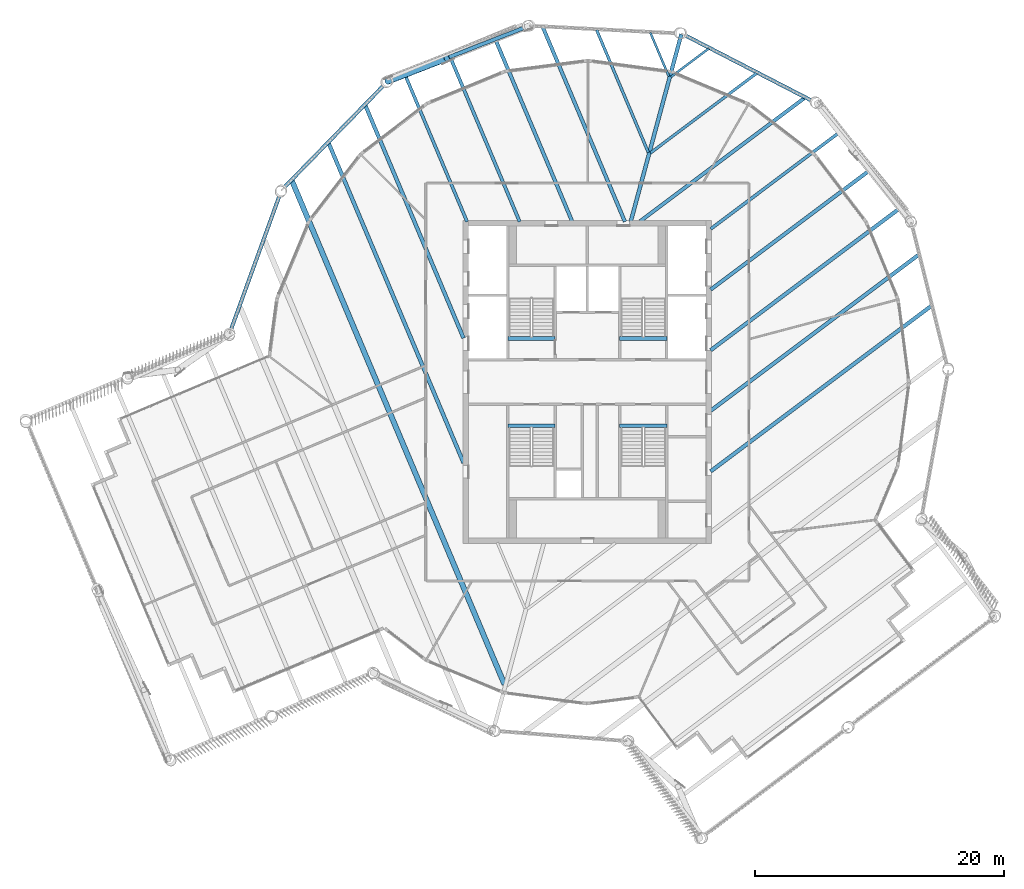
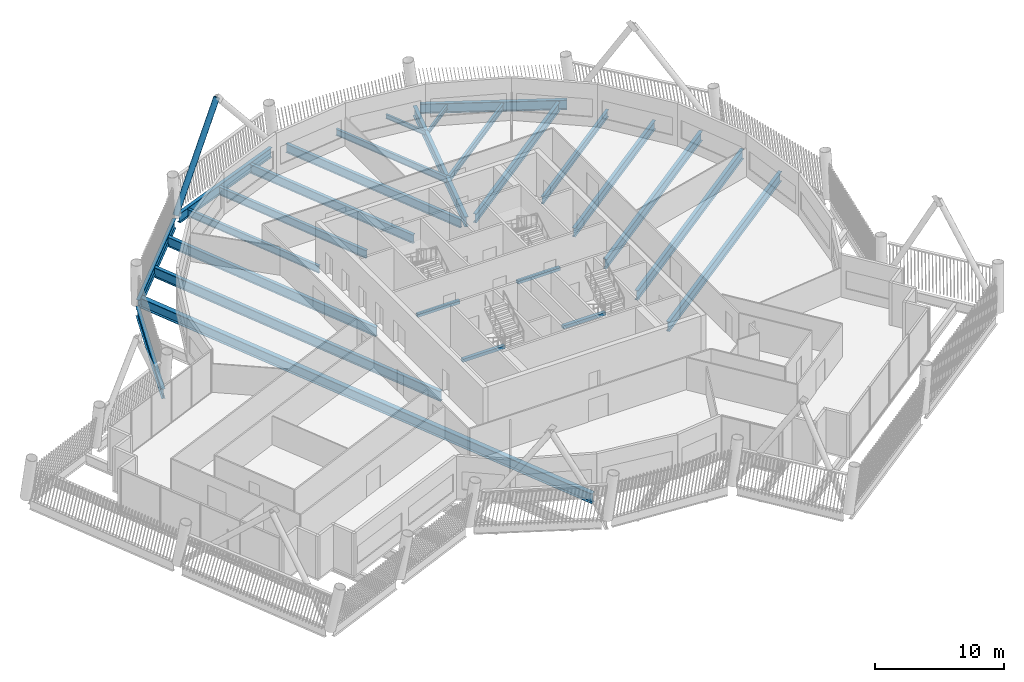
# One storey, part 14 of 35: 26 beams, 1 member.
"""IFC4 building model written with IfcOpenShell, lengths in metres."""

from ifc_helpers import new_model, si_unit, direction, frame, origin, origin_2d, place, context, subcontext, project, spatial, rectangle, hollow_circle, i_section, extrude, material, material_profile, profile_set, type_object, element, save


model = new_model("IFC4")

# Units and contexts
model_context = context("Model", 3, precision=1e-05, world=origin(), true_north=direction((0.0, 1.0)))
body_context = subcontext(model_context, "Body", "Model", "MODEL_VIEW")
ifc_project = project(units=[si_unit("LENGTHUNIT", "METRE"), si_unit("AREAUNIT", "SQUARE_METRE"), si_unit("VOLUMEUNIT", "CUBIC_METRE"), si_unit("PLANEANGLEUNIT", "RADIAN"), si_unit("MASSUNIT", "GRAM", prefix="KILO")], contexts=[model_context])

# Site, building, storey
site_placement = place(None, origin())
site = spatial("IfcSite", under=ifc_project, at=site_placement, CompositionType="ELEMENT")
building_placement = place(site_placement, origin())
building = spatial("IfcBuilding", under=site, at=building_placement, Name="Tarsis Ring Headquarters", CompositionType="ELEMENT")
storey_placement = place(building_placement, frame((0.0, 0.0, 377.60009765625)))
storey = spatial("IfcBuildingStorey", under=building, at=storey_placement, Name="L89", CompositionType="ELEMENT", Elevation=377.60009765625)

# Beams
ifc_material_1 = material(Name="Structural steel S355", Category="steel")
ifc_material_profile_1 = material_profile(ifc_material_1, i_section(OverallWidth=0.177734375, OverallDepth=0.406494140625, WebThickness=0.0078125, FlangeThickness=0.0126953125, at=origin_2d()), Name="W16x40")
ifc_profile_set_1 = profile_set([ifc_material_profile_1], Name="Structural steel S355")
beam_type_1 = type_object("IfcBeamType", Name="FB Floor beam W16x40", PredefinedType="JOIST", material=ifc_profile_set_1)
beam_1_placement = place(storey_placement, frame((6.730712890625, 24.552490234375, -0.36328125), z_axis=(0.799876885727, 0.600164117288, 0.0), x_axis=(-0.600164117288, 0.799876885727, 0.0)))
element("IfcBeam", 1, at=beam_1_placement, inside=storey, type_object=beam_type_1, Name="Floor beam FB1", PredefinedType="JOIST", context=body_context, shape_type="SweptSolid", body=[
    extrude(i_section(OverallWidth=0.177734375, OverallDepth=0.406494140625, WebThickness=0.0078125, FlangeThickness=0.0126953125, at=origin_2d()), origin(), (0.0, 0.0, 1.0), 3.807861328125),
])
beam_2_placement = place(storey_placement, frame((5.06982421875, 28.109619140625, -0.36328125), z_axis=(0.388767684481, -0.9213358169, 0.0), x_axis=(0.9213358169, 0.388767684481, 0.0)))
element("IfcBeam", 2, at=beam_2_placement, inside=storey, type_object=beam_type_1, Name="Floor beam FB1", PredefinedType="JOIST", context=body_context, shape_type="SweptSolid", body=[
    extrude(i_section(OverallWidth=0.177734375, OverallDepth=0.406494140625, WebThickness=0.0078125, FlangeThickness=0.0126953125, at=origin_2d()), origin(), (0.0, 0.0, 1.0), 3.80810546875),
])
ifc_material_profile_2 = material_profile(ifc_material_1, i_section(OverallWidth=0.228271484375, OverallDepth=0.607177734375, WebThickness=0.01123046875, FlangeThickness=0.017333984375, at=origin_2d()), Name="W24x76")
ifc_profile_set_2 = profile_set([ifc_material_profile_2], Name="Structural steel S355")
beam_type_2 = type_object("IfcBeamType", Name="FB Floor beam W24x76", PredefinedType="JOIST", material=ifc_profile_set_2)
for number, where, z_axis, x_axis, name in (
    (3, (5.078369140625, 18.43701171875, -0.463623046875), (0.79989033752, 0.600146188809, 0.0), (-0.600146188809, 0.79989033752, 0.0), "Floor beam FB4"),
    (4, (0.74267578125, 28.33251953125, -0.463623046875), (0.388796251866, -0.921323762059, 0.0), (0.921323762059, 0.388796251866, 0.0), "Floor beam FB4"),
):
    element("IfcBeam", number, at=place(storey_placement, frame(where, z_axis=z_axis, x_axis=x_axis)), inside=storey, type_object=beam_type_2, Name=name, PredefinedType="JOIST", context=body_context, shape_type="SweptSolid", body=[
        extrude(i_section(OverallWidth=0.228271484375, OverallDepth=0.607177734375, WebThickness=0.01123046875, FlangeThickness=0.017333984375, at=origin_2d()), origin(), (0.0, 0.0, 1.0), 10.6875),
    ])
ifc_material_profile_3 = material_profile(ifc_material_1, i_section(OverallWidth=0.2529296875, OverallDepth=0.67822265625, WebThickness=0.01171875, FlangeThickness=0.016357421875, at=origin_2d()), Name="W27x84")
ifc_profile_set_3 = profile_set([ifc_material_profile_3], Name="Structural steel S355")
beam_type_3 = type_object("IfcBeamType", Name="FB Floor beam W27x84", PredefinedType="JOIST", material=ifc_profile_set_3)
beam_3_placement = place(storey_placement, frame((9.919921875, 12.318359375, -0.499267578125), z_axis=(0.799893443235, 0.600142049409, 0.0), x_axis=(-0.600142049409, 0.799893443235, 0.0)))
element("IfcBeam", 5, at=beam_3_placement, inside=storey, type_object=beam_type_3, Name="Floor beam FB5", PredefinedType="JOIST", context=body_context, shape_type="SweptSolid", body=[
    extrude(i_section(OverallWidth=0.2529296875, OverallDepth=0.67822265625, WebThickness=0.01171875, FlangeThickness=0.016357421875, at=origin_2d()), origin(), (0.0, 0.0, 1.0), 12.923828125),
])
beam_4_placement = place(storey_placement, frame((-14.656005859375, 24.69873046875, -0.499267578125), z_axis=(0.388806526966, -0.921319425926, 0.0), x_axis=(0.921319425926, 0.388806526966, 0.0)))
element("IfcBeam", 6, at=beam_4_placement, inside=storey, type_object=beam_type_3, Name="Floor beam FB5", PredefinedType="JOIST", context=body_context, shape_type="SweptSolid", body=[
    extrude(i_section(OverallWidth=0.2529296875, OverallDepth=0.67822265625, WebThickness=0.01171875, FlangeThickness=0.016357421875, at=origin_2d()), origin(), (0.0, 0.0, 1.0), 12.797607421875),
])
ifc_material_profile_4 = material_profile(ifc_material_1, i_section(OverallWidth=0.2666015625, OverallDepth=0.7568359375, WebThickness=0.013916015625, FlangeThickness=0.019287109375, at=origin_2d()), Name="W30x108")
ifc_profile_set_4 = profile_set([ifc_material_profile_4], Name="Structural steel S355")
beam_type_4 = type_object("IfcBeamType", Name="FB Floor beam W30x108", PredefinedType="JOIST", material=ifc_profile_set_4)
beam_5_placement = place(storey_placement, frame((-11.023681640625, 26.121826171875, -0.53857421875), z_axis=(0.388807978307, -0.921318813444, 0.0), x_axis=(0.921318813444, 0.388807978307, 0.0)))
element("IfcBeam", 7, at=beam_5_placement, inside=storey, type_object=beam_type_4, Name="Floor beam FB6", PredefinedType="JOIST", context=body_context, shape_type="SweptSolid", body=[
    extrude(i_section(OverallWidth=0.2666015625, OverallDepth=0.7568359375, WebThickness=0.013916015625, FlangeThickness=0.019287109375, at=origin_2d()), origin(), (0.0, 0.0, 1.0), 14.34228515625),
])
ifc_material_profile_5 = material_profile(ifc_material_1, i_section(OverallWidth=0.2919921875, OverallDepth=0.835693359375, WebThickness=0.013916015625, FlangeThickness=0.018798828125, at=origin_2d()), Name="W33x118")
ifc_profile_set_5 = profile_set([ifc_material_profile_5], Name="Structural steel S355")
beam_type_5 = type_object("IfcBeamType", Name="FB Floor beam W33x118", PredefinedType="JOIST", material=ifc_profile_set_5)
beam_6_placement = place(storey_placement, frame((4.25, 12.93994140625, -0.577880859375), z_axis=(0.799891919457, 0.600144080357, 0.0), x_axis=(-0.600144080357, 0.799891919457, 0.0)))
element("IfcBeam", 8, at=beam_6_placement, inside=storey, type_object=beam_type_5, Name="Floor beam FB7", PredefinedType="JOIST", context=body_context, shape_type="SweptSolid", body=[
    extrude(i_section(OverallWidth=0.2919921875, OverallDepth=0.835693359375, WebThickness=0.013916015625, FlangeThickness=0.018798828125, at=origin_2d()), origin(), (0.0, 0.0, 1.0), 16.536865234375),
])
beam_7_placement = place(storey_placement, frame((9.919921875, 7.442626953125, -0.577880859375), z_axis=(0.799893461455, 0.600142025125, 0.0), x_axis=(-0.600142025125, 0.799893461455, 0.0)))
element("IfcBeam", 9, at=beam_7_placement, inside=storey, type_object=beam_type_5, Name="Floor beam FB7", PredefinedType="JOIST", context=body_context, shape_type="SweptSolid", body=[
    extrude(i_section(OverallWidth=0.2919921875, OverallDepth=0.835693359375, WebThickness=0.013916015625, FlangeThickness=0.018798828125, at=origin_2d()), origin(), (0.0, 0.0, 1.0), 15.951171875),
])
beam_8_placement = place(storey_placement, frame((-3.58447265625, 28.555419921875, -0.577880859375), z_axis=(0.388800416019, -0.921322004786, 0.0), x_axis=(0.921322004786, 0.388800416019, 0.0)))
element("IfcBeam", 10, at=beam_8_placement, inside=storey, type_object=beam_type_5, Name="Floor beam FB7", PredefinedType="JOIST", context=body_context, shape_type="SweptSolid", body=[
    extrude(i_section(OverallWidth=0.2919921875, OverallDepth=0.835693359375, WebThickness=0.013916015625, FlangeThickness=0.018798828125, at=origin_2d()), origin(), (0.0, 0.0, 1.0), 16.983642578125),
])
beam_9_placement = place(storey_placement, frame((-7.39111328125, 27.544921875, -0.577880859375), z_axis=(0.388809147429, -0.921318320059, 0.0), x_axis=(0.921318320059, 0.388809147429, 0.0)))
element("IfcBeam", 11, at=beam_9_placement, inside=storey, type_object=beam_type_5, Name="Floor beam FB7", PredefinedType="JOIST", context=body_context, shape_type="SweptSolid", body=[
    extrude(i_section(OverallWidth=0.2919921875, OverallDepth=0.835693359375, WebThickness=0.013916015625, FlangeThickness=0.018798828125, at=origin_2d()), origin(), (0.0, 0.0, 1.0), 15.886962890625),
])
ifc_material_profile_6 = material_profile(ifc_material_1, i_section(OverallWidth=0.3046875, OverallDepth=0.904296875, WebThickness=0.01513671875, FlangeThickness=0.02001953125, at=origin_2d()), Name="W36x135")
ifc_profile_set_6 = profile_set([ifc_material_profile_6], Name="Structural steel S355")
beam_type_6 = type_object("IfcBeamType", Name="FB Floor beam W36x135", PredefinedType="JOIST", material=ifc_profile_set_6)
beam_10_placement = place(storey_placement, frame((9.919921875, 2.567138671875, -0.6123046875), z_axis=(0.799895016008, 0.600139953149, 0.0), x_axis=(-0.600139953149, 0.799895016008, 0.0)))
element("IfcBeam", 12, at=beam_10_placement, inside=storey, type_object=beam_type_6, Name="Floor beam FB8", PredefinedType="JOIST", context=body_context, shape_type="SweptSolid", body=[
    extrude(i_section(OverallWidth=0.3046875, OverallDepth=0.904296875, WebThickness=0.01513671875, FlangeThickness=0.02001953125, at=origin_2d()), origin(), (0.0, 0.0, 1.0), 18.978271484375),
])
beam_11_placement = place(storey_placement, frame((9.919921875, -2.30859375, -0.6123046875), z_axis=(0.79989772027, 0.600136348763, 0.0), x_axis=(-0.600136348763, 0.79989772027, 0.0)))
element("IfcBeam", 13, at=beam_11_placement, inside=storey, type_object=beam_type_6, Name="Floor beam FB8", PredefinedType="JOIST", context=body_context, shape_type="SweptSolid", body=[
    extrude(i_section(OverallWidth=0.3046875, OverallDepth=0.904296875, WebThickness=0.01513671875, FlangeThickness=0.02001953125, at=origin_2d()), origin(), (0.0, 0.0, 1.0), 20.912353515625),
])
beam_12_placement = place(storey_placement, frame((-17.863525390625, 22.2685546875, -0.6123046875), z_axis=(0.388800083372, -0.921322145164, 0.0), x_axis=(0.921322145164, 0.388800083372, 0.0)))
element("IfcBeam", 14, at=beam_12_placement, inside=storey, type_object=beam_type_6, Name="Floor beam FB8", PredefinedType="JOIST", context=body_context, shape_type="SweptSolid", body=[
    extrude(i_section(OverallWidth=0.3046875, OverallDepth=0.904296875, WebThickness=0.01513671875, FlangeThickness=0.02001953125, at=origin_2d()), origin(), (0.0, 0.0, 1.0), 20.324951171875),
])
ifc_material_profile_7 = material_profile(ifc_material_1, i_section(OverallWidth=0.3046875, OverallDepth=0.91943359375, WebThickness=0.017333984375, FlangeThickness=0.02783203125, at=origin_2d()), Name="W36x170")
ifc_profile_set_7 = profile_set([ifc_material_profile_7], Name="Structural steel S355")
beam_type_7 = type_object("IfcBeamType", Name="FB Floor beam W36x170", PredefinedType="JOIST", material=ifc_profile_set_7)
beam_13_placement = place(storey_placement, frame((9.919921875, -7.18408203125, -0.619873046875), z_axis=(0.799897028346, 0.600137270999, 0.0), x_axis=(-0.600137270999, 0.799897028346, 0.0)))
element("IfcBeam", 15, at=beam_13_placement, inside=storey, type_object=beam_type_7, Name="Floor beam FB9", PredefinedType="JOIST", context=body_context, shape_type="SweptSolid", body=[
    extrude(i_section(OverallWidth=0.3046875, OverallDepth=0.91943359375, WebThickness=0.017333984375, FlangeThickness=0.02783203125, at=origin_2d()), origin(), (0.0, 0.0, 1.0), 22.194580078125),
])
ifc_material_profile_8 = material_profile(ifc_material_1, i_section(OverallWidth=0.309814453125, OverallDepth=0.949951171875, WebThickness=0.0244140625, FlangeThickness=0.0439453125, at=origin_2d()), Name="W36x256")
ifc_profile_set_8 = profile_set([ifc_material_profile_8], Name="Structural steel S355")
beam_type_8 = type_object("IfcBeamType", Name="FB Floor beam W36x256", PredefinedType="JOIST", material=ifc_profile_set_8)
beam_14_placement = place(storey_placement, frame((-20.817626953125, 19.237548828125, -0.635009765625), z_axis=(0.388805808995, -0.921319728917, 0.0), x_axis=(0.921319728917, 0.388805808995, 0.0)))
element("IfcBeam", 16, at=beam_14_placement, inside=storey, type_object=beam_type_8, Name="Floor beam FB11", PredefinedType="JOIST", context=body_context, shape_type="SweptSolid", body=[
    extrude(i_section(OverallWidth=0.309814453125, OverallDepth=0.949951171875, WebThickness=0.0244140625, FlangeThickness=0.0439453125, at=origin_2d()), origin(), (0.0, 0.0, 1.0), 27.922607421875),
])
beam_type_9 = type_object("IfcBeamType", Name="FB Floor beam W36x256 spine", PredefinedType="BEAM", material=ifc_profile_set_8)
beam_15_placement = place(storey_placement, frame((7.5625, 27.989013671875, -0.635009765625), z_axis=(-0.260836224106, -0.965383066039, 0.0), x_axis=(0.965383066039, -0.260836224106, 0.0)))
element("IfcBeam", 17, at=beam_15_placement, inside=storey, type_object=beam_type_9, Name="Floor beam SB11", PredefinedType="BEAM", context=body_context, shape_type="SweptSolid", body=[
    extrude(i_section(OverallWidth=0.309814453125, OverallDepth=0.949951171875, WebThickness=0.0244140625, FlangeThickness=0.0439453125, at=origin_2d()), origin(), (0.0, 0.0, 1.0), 15.62646484375),
])
ifc_material_profile_9 = material_profile(ifc_material_1, i_section(OverallWidth=0.42431640625, OverallDepth=0.947509765625, WebThickness=0.02392578125, FlangeThickness=0.042724609375, at=origin_2d()), Name="W36x302")
ifc_profile_set_9 = profile_set([ifc_material_profile_9], Name="Structural steel S355")
beam_type_10 = type_object("IfcBeamType", Name="FB Floor beam W36x302", PredefinedType="JOIST", material=ifc_profile_set_9)
beam_16_placement = place(storey_placement, frame((-23.771484375, 16.206787109375, -0.6337890625), z_axis=(0.388802461257, -0.921321141688, 0.0), x_axis=(0.921321141688, 0.388802461257, 0.0)))
element("IfcBeam", 18, at=beam_16_placement, inside=storey, type_object=beam_type_10, Name="Floor beam FB12", PredefinedType="JOIST", context=body_context, shape_type="SweptSolid", body=[
    extrude(i_section(OverallWidth=0.42431640625, OverallDepth=0.947509765625, WebThickness=0.02392578125, FlangeThickness=0.042724609375, at=origin_2d()), origin(), (0.0, 0.0, 1.0), 43.989501953125),
])
ifc_material_2 = material(Name="Concrete C40/50", Category="concrete")
ifc_material_profile_10 = material_profile(ifc_material_2, rectangle(XDim=0.300048828125, YDim=0.300048828125, at=origin_2d()), Name="Stair head beam 300x300 C40/50")
ifc_profile_set_10 = profile_set([ifc_material_profile_10], Name="Concrete C40/50")
beam_type_11 = type_object("IfcBeamType", Name="Stair head beam 300x300 C40/50", PredefinedType="BEAM", material=ifc_profile_set_10)
for number, where, z_axis, x_axis, name in (
    (19, (-6.39990234375, 3.510009765625, -0.31005859375), (1.0, 0.0, 0.0), (0.0, 1.0, 0.0), "Stair head beam L89 Firefighting stair"),
    (20, (2.60009765625, 3.510009765625, -0.31005859375), (1.0, 0.0, 0.0), (0.0, 1.0, 0.0), "Stair head beam L89 Exit stair B"),
    (21, (-6.39990234375, -3.510009765625, -0.31005859375), (1.0, 0.0, 0.0), (0.0, 1.0, 0.0), "Stair head beam L89 Exit stair C"),
    (22, (2.60009765625, -3.510009765625, -0.31005859375), (1.0, 0.0, 0.0), (0.0, 1.0, 0.0), "Stair head beam L89 Exit stair D"),
):
    element("IfcBeam", number, at=place(storey_placement, frame(where, z_axis=z_axis, x_axis=x_axis)), inside=storey, type_object=beam_type_11, Name=name, PredefinedType="BEAM", context=body_context, shape_type="SweptSolid", body=[
        extrude(rectangle(XDim=0.300048828125, YDim=0.300048828125, at=origin_2d()), origin(), (0.0, 0.0, 1.0), 3.7998046875),
    ])

# Member
ifc_material_profile_11 = material_profile(ifc_material_1, hollow_circle(Radius=0.25390625, WallThickness=0.02001953125, at=origin_2d()), Name="CHS 508x20")
ifc_profile_set_11 = profile_set([ifc_material_profile_11], Name="Structural steel S355")
member_type = type_object("IfcMemberType", Name="XD X brace CHS 508x20", PredefinedType="BRACE", material=ifc_profile_set_11)
member_placement = place(storey_placement, frame((-16.060302734375, 24.204833984375, 0.0), z_axis=(0.483475437662, 0.187385874369, 0.855066099939), x_axis=(-0.361386700208, 0.932416029953, 0.0)))
element("IfcMember", 23, at=member_placement, inside=storey, type_object=member_type, Name="X brace XD2", PredefinedType="BRACE", context=body_context, shape_type="SweptSolid", body=[
    extrude(hollow_circle(Radius=0.25390625, WallThickness=0.02001953125, at=origin_2d()), origin(), (0.0, 0.0, 1.0), 9.82373046875),
])

# Beams
beam_type_12 = type_object("IfcBeamType", Name="XG Ring girder W36x170", PredefinedType="BEAM", material=ifc_profile_set_7)
for number, where, z_axis, x_axis, name in (
    (24, (18.0966796875, 22.615234375, -0.4599609375), (-0.888684416564, 0.458519364647, 0.0), (-0.458519364647, -0.888684416564, 0.0), "Ring girder XG4"),
    (25, (-5.03857421875, 28.52294921875, -0.4599609375), (-0.931093902799, -0.364779582995, 0.0), (0.364779582995, -0.931093902799, 0.0), "Ring girder XG4"),
):
    element("IfcBeam", number, at=place(storey_placement, frame(where, z_axis=z_axis, x_axis=x_axis)), inside=storey, type_object=beam_type_12, Name=name, PredefinedType="BEAM", context=body_context, shape_type="SweptSolid", body=[
        extrude(i_section(OverallWidth=0.3046875, OverallDepth=0.91943359375, WebThickness=0.017333984375, FlangeThickness=0.02783203125, at=origin_2d()), origin(), (0.0, 0.0, 1.0), 11.426025390625),
    ])
beam_17_placement = place(storey_placement, frame((-16.34765625, 23.91015625, -0.4599609375), z_axis=(-0.697967305066, -0.716129625877, 0.0), x_axis=(0.716129625877, -0.697967305066, 0.0)))
element("IfcBeam", 26, at=beam_17_placement, inside=storey, type_object=beam_type_12, Name="Ring girder XG4", PredefinedType="BEAM", context=body_context, shape_type="SweptSolid", body=[
    extrude(i_section(OverallWidth=0.3046875, OverallDepth=0.91943359375, WebThickness=0.017333984375, FlangeThickness=0.02783203125, at=origin_2d()), origin(), (0.0, 0.0, 1.0), 11.42578125),
])
beam_18_placement = place(storey_placement, frame((-24.749755859375, 15.04638671875, -0.4599609375), z_axis=(-0.340742666442, -0.940156601458, 0.0), x_axis=(0.940156601458, -0.340742666442, 0.0)))
element("IfcBeam", 27, at=beam_18_placement, inside=storey, type_object=beam_type_12, Name="Ring girder XG4", PredefinedType="BEAM", context=body_context, shape_type="SweptSolid", body=[
    extrude(i_section(OverallWidth=0.3046875, OverallDepth=0.91943359375, WebThickness=0.017333984375, FlangeThickness=0.02783203125, at=origin_2d()), origin(), (0.0, 0.0, 1.0), 11.426025390625),
])

save(model, "model.ifc")
